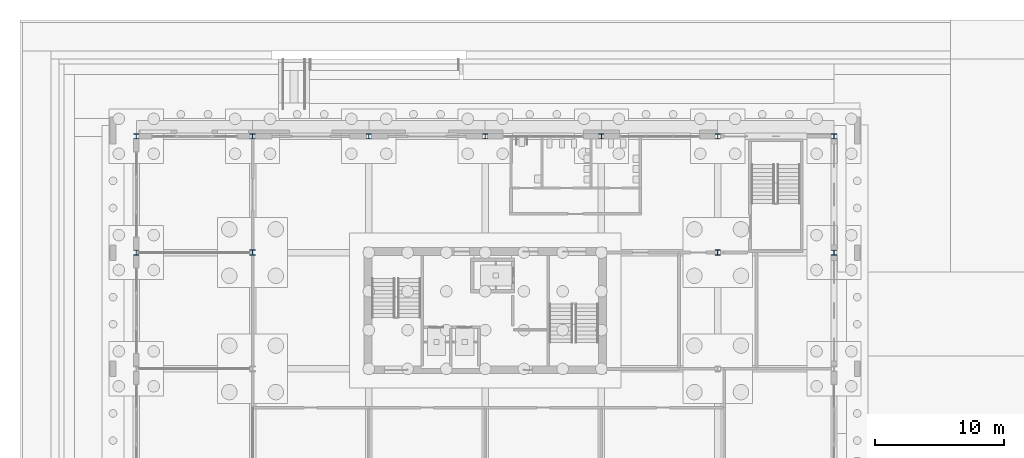
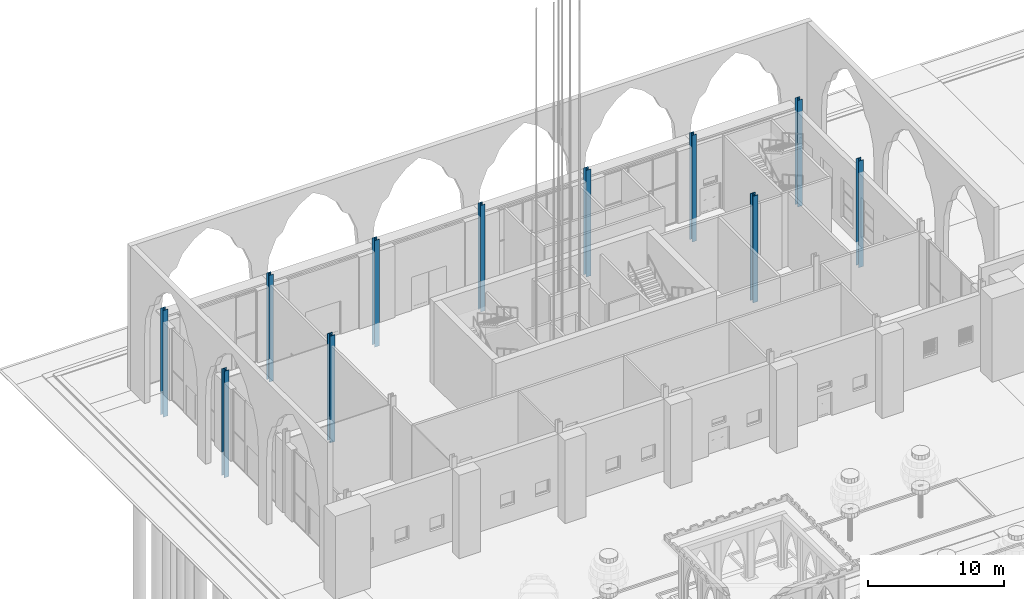
# One storey, part 34 of 250: 11 columns.
"""IFC4 building model written with IfcOpenShell, lengths in metres."""

from ifc_helpers import new_model, si_unit, direction, frame, origin, origin_2d, place, context, subcontext, project, spatial, i_section, extrude, material, material_profile, profile_set, type_object, element, save


model = new_model("IFC4")

# Units and contexts
model_context = context("Model", 3, precision=1e-05, world=origin(), true_north=direction((0.0, 1.0)))
body_context = subcontext(model_context, "Body", "Model", "MODEL_VIEW")
ifc_project = project(units=[si_unit("LENGTHUNIT", "METRE"), si_unit("AREAUNIT", "SQUARE_METRE"), si_unit("VOLUMEUNIT", "CUBIC_METRE"), si_unit("PLANEANGLEUNIT", "RADIAN"), si_unit("MASSUNIT", "GRAM", prefix="KILO")], contexts=[model_context])

# Site, building, storey
site_placement = place(None, origin())
site = spatial("IfcSite", under=ifc_project, at=site_placement, CompositionType="ELEMENT")
building_placement = place(site_placement, origin())
building = spatial("IfcBuilding", under=site, at=building_placement, Name="Baradari Gate Terminus", CompositionType="ELEMENT")
storey_placement = place(building_placement, origin())
storey = spatial("IfcBuildingStorey", under=building, at=storey_placement, Name="L00", CompositionType="ELEMENT", Elevation=0.0)

# Columns
ifc_material_1 = material(Name="Steel S355", Category="steel")
ifc_material_profile_1 = material_profile(ifc_material_1, i_section(OverallWidth=0.412109375, OverallDepth=0.4365234375, WebThickness=0.035888671875, FlangeThickness=0.05810546875, FilletRadius=0.01513671875, at=origin_2d()), Name="UC 356x406x467")
ifc_profile_set_1 = profile_set([ifc_material_profile_1], Name="Steel S355")
column_type_1 = type_object("IfcColumnType", Name="Operations block column C02 UC 356x406x467", PredefinedType="COLUMN", material=ifc_profile_set_1)
for number, where, z_axis, x_axis, name in (
    (1, (18.0, 135.0, -2.10009765625), (0.0, 0.0, 1.0), (1.0, 0.0, 0.0), "C02 column 3-R L00"),
    (2, (54.0, 135.0, -2.10009765625), (0.0, 0.0, 1.0), (1.0, 0.0, 0.0), "C02 column 7-R L00"),
):
    element("IfcColumn", number, at=place(storey_placement, frame(where, z_axis=z_axis, x_axis=x_axis)), inside=storey, type_object=column_type_1, Name=name, PredefinedType="COLUMN", context=body_context, shape_type="SweptSolid", body=[
        extrude(i_section(OverallWidth=0.412109375, OverallDepth=0.4365234375, WebThickness=0.035888671875, FlangeThickness=0.05810546875, FilletRadius=0.01513671875, at=origin_2d()), origin(), (0.0, 0.0, 1.0), 9.60009765625),
    ])
ifc_material_2 = material(Name="Steel S355", Category="steel")
ifc_material_profile_2 = material_profile(ifc_material_2, i_section(OverallWidth=0.39892578125, OverallDepth=0.3935546875, WebThickness=0.015869140625, FlangeThickness=0.02490234375, FilletRadius=0.01513671875, at=origin_2d()), Name="UC 356x406x287")
ifc_profile_set_2 = profile_set([ifc_material_profile_2], Name="Steel S355")
column_type_2 = type_object("IfcColumnType", Name="Operations block perimeter column C01 UC 356x406x287", PredefinedType="COLUMN", material=ifc_profile_set_2)
for number, where, z_axis, x_axis, name in (
    (3, (9.0, 135.0, -2.10009765625), (0.0, 0.0, 1.0), (1.0, 0.0, 0.0), "C01 column 2-R L00"),
    (4, (9.0, 144.0, -2.10009765625), (0.0, 0.0, 1.0), (1.0, 0.0, 0.0), "C01 column 2-S L00"),
    (5, (18.0, 144.0, -2.10009765625), (0.0, 0.0, 1.0), (1.0, 0.0, 0.0), "C01 column 3-S L00"),
    (6, (27.0, 144.0, -2.10009765625), (0.0, 0.0, 1.0), (1.0, 0.0, 0.0), "C01 column 4-S L00"),
    (7, (36.0, 144.0, -2.10009765625), (0.0, 0.0, 1.0), (1.0, 0.0, 0.0), "C01 column 5-S L00"),
    (8, (45.0, 144.0, -2.10009765625), (0.0, 0.0, 1.0), (1.0, 0.0, 0.0), "C01 column 6-S L00"),
    (9, (54.0, 144.0, -2.10009765625), (0.0, 0.0, 1.0), (1.0, 0.0, 0.0), "C01 column 7-S L00"),
    (10, (63.0, 135.0, -2.10009765625), (0.0, 0.0, 1.0), (1.0, 0.0, 0.0), "C01 column 8-R L00"),
    (11, (63.0, 144.0, -2.10009765625), (0.0, 0.0, 1.0), (1.0, 0.0, 0.0), "C01 column 8-S L00"),
):
    element("IfcColumn", number, at=place(storey_placement, frame(where, z_axis=z_axis, x_axis=x_axis)), inside=storey, type_object=column_type_2, Name=name, PredefinedType="COLUMN", context=body_context, shape_type="SweptSolid", body=[
        extrude(i_section(OverallWidth=0.39892578125, OverallDepth=0.3935546875, WebThickness=0.015869140625, FlangeThickness=0.02490234375, FilletRadius=0.01513671875, at=origin_2d()), origin(), (0.0, 0.0, 1.0), 9.60009765625),
    ])

save(model, "model.ifc")
